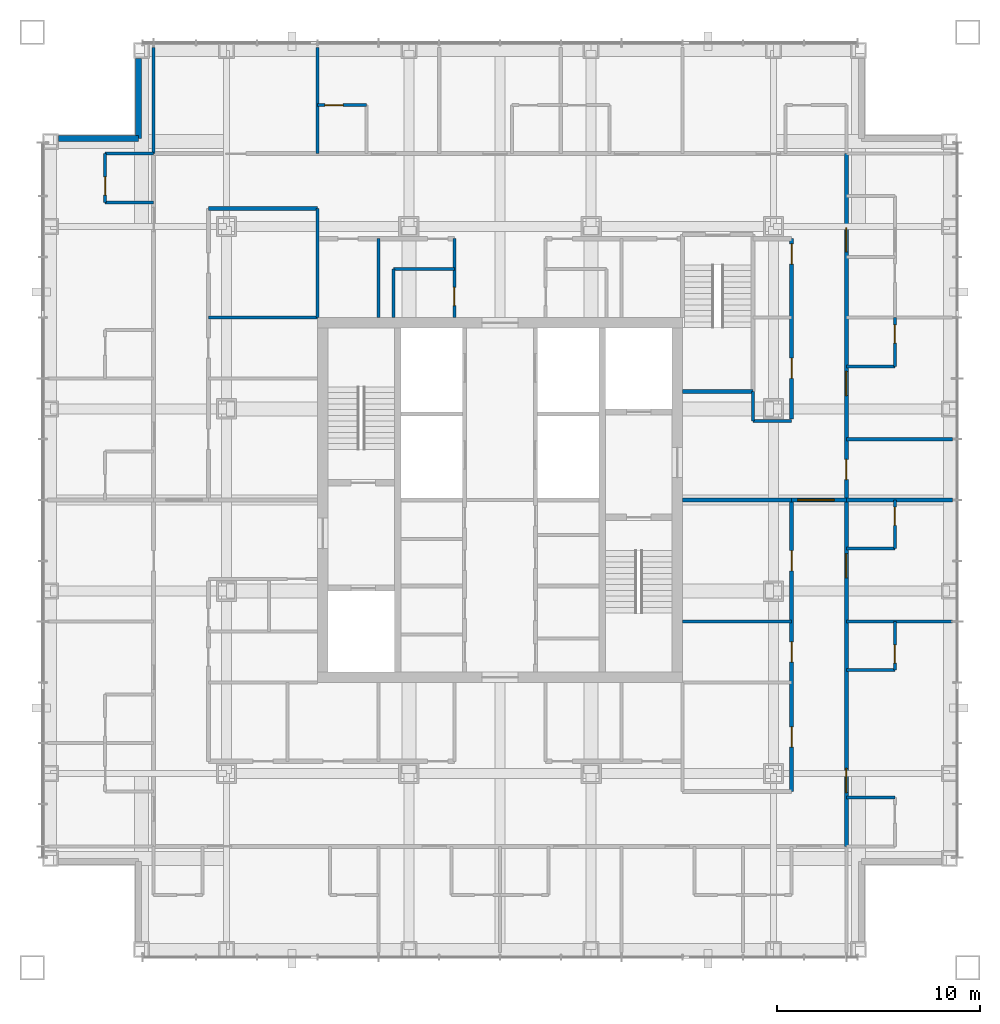
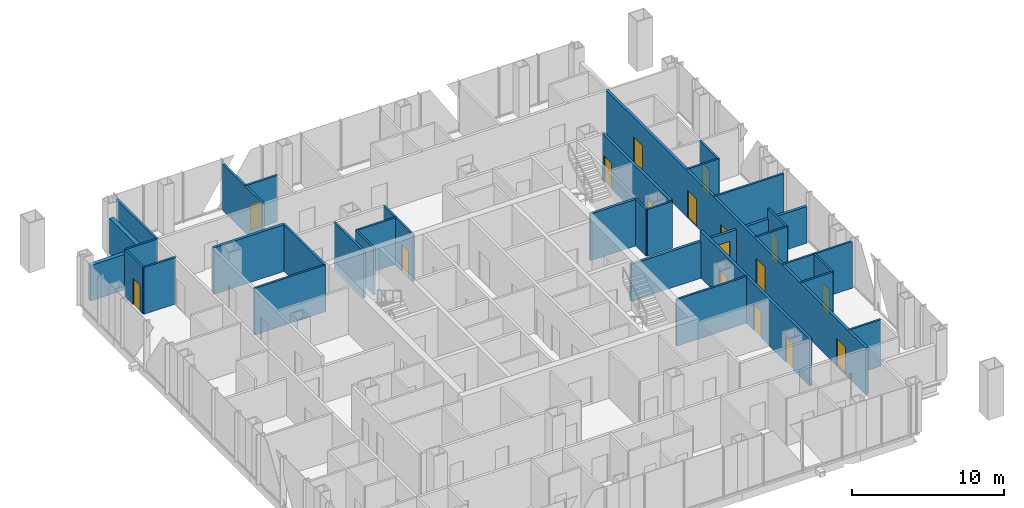
# One storey, part 14 of 21: 34 walls, 17 doors, 17 openings.
"""IFC4 building model written with IfcOpenShell, lengths in metres."""

import ifcopenshell
import ifcopenshell.guid

model = None  # the IFC model being written
_history = None  # IfcOwnerHistory: only IFC2X3 demands one
_inside = {}  # id of a spatial element -> (the spatial element, [elements in it])
_under = {}  # id of a project, library or spatial element -> (it, [spatial elements below it])
_declared = {}  # id of a project -> (the project, [libraries it declares])
_typed = {}  # id of a type object -> (the type object, [elements of that type])
_made_of = {}  # id of a material, layer set ... -> (it, [elements and type objects made of it])


def new_model(schema):
    """Start an empty IFC model of exactly this schema.

    Asked for "IFC4X3", IfcOpenShell would pick the latest addendum, in which some entities
    have other attributes; the version numbers below select the first issue.
    IFC2X3 requires an IfcOwnerHistory on every rooted entity: one is made here for all.
    """
    global model, _history
    if schema == "IFC4X3":
        model = ifcopenshell.file(schema_version=(4, 3, 0, 0))
    else:
        model = ifcopenshell.file(schema=schema)
    _inside.clear()
    _under.clear()
    _declared.clear()
    _typed.clear()
    _made_of.clear()
    _history = None
    if model.schema == "IFC2X3":
        org = make("IfcOrganization", Name="unknown")
        user = make(
            "IfcPersonAndOrganization",
            ThePerson=make("IfcPerson", FamilyName="unknown"),
            TheOrganization=org,
        )
        app = make(
            "IfcApplication",
            ApplicationDeveloper=org,
            Version="unknown",
            ApplicationFullName="unknown",
            ApplicationIdentifier="unknown",
        )
        _history = make(
            "IfcOwnerHistory",
            OwningUser=user,
            OwningApplication=app,
            ChangeAction="ADDED",
            CreationDate=0,
        )
    return model


def make(cls, **values):
    """One entity of the class cls with the attributes given. An attribute that is None is left unset."""
    return model.create_entity(
        cls, **{name: value for name, value in values.items() if value is not None}
    )


def rooted(cls, **values):
    """An entity with a GlobalId (a new one), such as an element, a storey or a relation."""
    return make(cls, GlobalId=ifcopenshell.guid.new(), OwnerHistory=_history, **values)


def si_unit(unit_type, name, prefix=None):
    """IfcSIUnit, for example si_unit("LENGTHUNIT", "METRE", prefix="MILLI")."""
    return make("IfcSIUnit", UnitType=unit_type, Prefix=prefix, Name=name)


def assignment(units):
    """IfcUnitAssignment: the units of a project."""
    return None if units is None else make("IfcUnitAssignment", Units=units)


def point(xyz):
    """IfcCartesianPoint."""
    return None if xyz is None else make("IfcCartesianPoint", Coordinates=xyz)


def direction(xyz):
    """IfcDirection."""
    return None if xyz is None else make("IfcDirection", DirectionRatios=xyz)


def frame(location, z_axis=None, x_axis=None):
    """IfcAxis2Placement3D, a coordinate frame: its origin and axes. An axis left out is left unset."""
    return make(
        "IfcAxis2Placement3D",
        Location=point(location),
        Axis=direction(z_axis),
        RefDirection=direction(x_axis),
    )


def frame_2d(location, x_axis=None):
    """IfcAxis2Placement2D, a coordinate frame in the plane: its origin and x axis."""
    return make(
        "IfcAxis2Placement2D", Location=point(location), RefDirection=direction(x_axis)
    )


def origin():
    """The frame at (0, 0, 0) with its axes left unset."""
    return frame((0.0, 0.0, 0.0))


def place(relative_to, where):
    """IfcLocalPlacement: puts the frame where relative to a parent placement (None: the world)."""
    return make(
        "IfcLocalPlacement", PlacementRelTo=relative_to, RelativePlacement=where
    )


def context(
    kind, dimensions, precision=None, world=None, true_north=None, identifier=None
):
    """IfcGeometricRepresentationContext, for example the 3D "Model" context."""
    return make(
        "IfcGeometricRepresentationContext",
        ContextIdentifier=identifier,
        ContextType=kind,
        CoordinateSpaceDimension=dimensions,
        Precision=precision,
        WorldCoordinateSystem=world,
        TrueNorth=true_north,
    )


def subcontext(parent, identifier, kind, view, scale=None):
    """IfcGeometricRepresentationSubContext, for example "Body" below "Model"."""
    return make(
        "IfcGeometricRepresentationSubContext",
        ContextIdentifier=identifier,
        ContextType=kind,
        ParentContext=parent,
        TargetScale=scale,
        TargetView=view,
    )


def project(units=None, contexts=None):
    """IfcProject with its units and contexts."""
    return rooted(
        "IfcProject",
        Name="project",
        RepresentationContexts=contexts,
        UnitsInContext=assignment(units),
    )


def spatial(cls, under=None, at=None, **own):
    """A site, building, storey or space (cls), placed at a placement, below another one or the project."""
    s = rooted(cls, ObjectPlacement=at, **own)
    if under is not None:
        _under.setdefault(under.id(), (under, []))[1].append(s)
    return s


def profile(cls, at=None, kind="AREA", **sizes):
    """A parametric profile (cls). Its sizes go by their IFC names, for example OverallWidth=200.0."""
    return make(cls, ProfileType=kind, Position=at, **sizes)


def rectangle(**sizes):
    """IfcRectangleProfileDef."""
    return profile("IfcRectangleProfileDef", **sizes)


def extrude(swept, where, along, depth):
    """IfcExtrudedAreaSolid: the profile swept, set in the frame where, extruded along a direction by depth."""
    return make(
        "IfcExtrudedAreaSolid",
        SweptArea=swept,
        Position=where,
        ExtrudedDirection=direction(along),
        Depth=depth,
    )


def shape(context_of_items, identifier, shape_type, items):
    """IfcShapeRepresentation: the items that make up one representation, for example the "Body"."""
    return make(
        "IfcShapeRepresentation",
        ContextOfItems=context_of_items,
        RepresentationIdentifier=identifier,
        RepresentationType=shape_type,
        Items=items,
    )


def material(Name=None, Category=None):
    """IfcMaterial."""
    return make("IfcMaterial", Name=Name, Category=Category)


def layer(
    of_material, thickness, ventilated=None, Name=None, Category=None, Priority=None
):
    """IfcMaterialLayer: one layer of a wall or slab, of a material (None: an air gap)."""
    return make(
        "IfcMaterialLayer",
        Material=of_material,
        LayerThickness=thickness,
        IsVentilated=ventilated,
        Name=Name,
        Category=Category,
        Priority=Priority,
    )


def layer_set(layers, Name=None):
    """IfcMaterialLayerSet."""
    return make("IfcMaterialLayerSet", MaterialLayers=layers, LayerSetName=Name)


def made_of(thing, what):
    """Note that an element or type object is made of a material, layer set ...; save() writes the relation."""
    if what is not None:
        _made_of.setdefault(what.id(), (what, []))[1].append(thing)
    return thing


def type_object(cls, material=None, **own):
    """A type object (cls), such as IfcWallType, which elements share."""
    return made_of(rooted(cls, **own), material)


def element(
    cls,
    number,
    at=None,
    inside=None,
    cuts=None,
    type_object=None,
    material=None,
    context=None,
    identifier="Body",
    shape_type=None,
    held_by="IfcProductDefinitionShape",
    body=None,
    shapes=None,
    **own,
):
    """One element of the class cls, such as IfcWall. Its Tag is "e" and its number.

    at: its placement. inside: the storey or other place that contains it. cuts: it is an
    opening in that element (IfcRelVoidsElement). A single representation is given by context,
    identifier, shape_type and body (its items); several are given by shapes. held_by: the class
    of the entity that holds the representations. save() writes the other relations.
    """
    e = rooted(cls, Tag="e%d" % number, ObjectPlacement=at, **own)
    if body is not None:
        shapes = [shape(context, identifier, shape_type, body)]
    if shapes is not None:
        e.Representation = make(held_by, Representations=shapes)
    if inside is not None:
        _inside.setdefault(inside.id(), (inside, []))[1].append(e)
    if cuts is not None:
        rooted(
            "IfcRelVoidsElement", RelatingBuildingElement=cuts, RelatedOpeningElement=e
        )
    if type_object is not None:
        _typed.setdefault(type_object.id(), (type_object, []))[1].append(e)
    return made_of(e, material)


def fill(opening, filler):
    """IfcRelFillsElement: the door or window that sits in an opening."""
    return rooted(
        "IfcRelFillsElement",
        RelatingOpeningElement=opening,
        RelatedBuildingElement=filler,
    )


def aggregate(whole, parts):
    """IfcRelAggregates: a whole, such as a stair, and the parts it consists of."""
    return rooted("IfcRelAggregates", RelatingObject=whole, RelatedObjects=parts)


def save(model, path):
    """Write the relations noted so far, then the file.

    IfcRelAggregates (storeys below a building ...), IfcRelContainedInSpatialStructure (elements
    in a storey), IfcRelDefinesByType, IfcRelAssociatesMaterial and IfcRelDeclares: one each for
    every whole, place, type object, material and project.
    """
    for whole, parts in _under.values():
        aggregate(whole, parts)
    for where, things in _inside.values():
        rooted(
            "IfcRelContainedInSpatialStructure",
            RelatedElements=things,
            RelatingStructure=where,
        )
    for kind, things in _typed.values():
        rooted("IfcRelDefinesByType", RelatedObjects=things, RelatingType=kind)
    for what, things in _made_of.values():
        rooted("IfcRelAssociatesMaterial", RelatedObjects=things, RelatingMaterial=what)
    for by, libraries in _declared.values():
        rooted("IfcRelDeclares", RelatingContext=by, RelatedDefinitions=libraries)
    model.write(path)


model = new_model("IFC4")

# Units and contexts
model_context = context("Model", 3, precision=1e-05, world=origin(), true_north=direction((0.0, 1.0)))
body_context = subcontext(model_context, "Body", "Model", "MODEL_VIEW")
ifc_project = project(units=[si_unit("LENGTHUNIT", "METRE"), si_unit("AREAUNIT", "SQUARE_METRE"), si_unit("VOLUMEUNIT", "CUBIC_METRE"), si_unit("PLANEANGLEUNIT", "RADIAN"), si_unit("MASSUNIT", "GRAM", prefix="KILO")], contexts=[model_context])

# Site, building, storey
site_placement = place(None, origin())
site = spatial("IfcSite", under=ifc_project, at=site_placement, CompositionType="ELEMENT")
building_placement = place(site_placement, origin())
building = spatial("IfcBuilding", under=site, at=building_placement, Name="Malebo Sky Hospital", CompositionType="ELEMENT")
storey_placement = place(building_placement, frame((0.0, 0.0, 229.0)))
storey = spatial("IfcBuildingStorey", under=building, at=storey_placement, Name="L55", CompositionType="ELEMENT", Elevation=229.0)

# Wall
ifc_material_1 = material(Name="Gypsum board on steel studs", Category="steel")
ifc_layer_1 = layer(ifc_material_1, 0.199951171875)
ifc_layer_set_1 = layer_set([ifc_layer_1], Name="CORRIDOR WALL 200")
wall_type_1 = type_object("IfcWallType", Name="CORRIDOR WALL 200", PredefinedType="PARTITIONING", material=ifc_layer_set_1)
wall_1_placement = place(storey_placement, frame((45.60009765625, 76.39990234375, 0.0), z_axis=(0.0, 0.0, 1.0), x_axis=(1.0, 0.0, 0.0)))
element("IfcWall", 1, at=wall_1_placement, inside=storey, type_object=wall_type_1, Name="Corridor Wall 200 NCIK", PredefinedType="PARTITIONING", context=body_context, shape_type="SweptSolid", body=[
    extrude(rectangle(XDim=5.39990234375, YDim=0.199951171875, at=frame_2d((2.699951171875, 0.0))), origin(), (0.0, 0.0, 1.0), 3.75),
])

# Wall, openings, doors
wall_2_placement = place(storey_placement, frame((77.10009765625, 79.10009765625, 0.0), z_axis=(0.0, 0.0, 1.0), x_axis=(0.0, -1.0, 0.0)))
wall_2 = element("IfcWall", 2, at=wall_2_placement, inside=storey, type_object=wall_type_1, Name="Corridor Wall 200 ECO", PredefinedType="PARTITIONING", context=body_context, shape_type="SweptSolid", body=[
    extrude(rectangle(XDim=34.2001953125, YDim=0.199951171875, at=frame_2d((17.10009765625, 0.0))), origin(), (0.0, 0.0, 1.0), 3.75),
])
opening_1_placement = place(wall_2_placement, frame((3.64990234375, 0.0, 0.0)))
opening_1 = element("IfcOpeningElement", 3, at=opening_1_placement, cuts=wall_2, Name="Opening D18", PredefinedType="OPENING", context=body_context, shape_type="SweptSolid", body=[
    extrude(rectangle(XDim=1.199951171875, YDim=2.199951171875, at=frame_2d((0.60009765625, 1.10009765625))), frame((0.0, 0.10986328125, 0.0), z_axis=(0.0, -1.0, 0.0), x_axis=(1.0, 0.0, 0.0)), (0.0, 0.0, 1.0), 0.219970703125),
])
opening_2_placement = place(wall_2_placement, frame((10.75, 0.0, 0.0)))
opening_2 = element("IfcOpeningElement", 4, at=opening_2_placement, cuts=wall_2, Name="Opening D01", PredefinedType="OPENING", context=body_context, shape_type="SweptSolid", body=[
    extrude(rectangle(XDim=1.199951171875, YDim=2.199951171875, at=frame_2d((0.60009765625, 1.10009765625))), frame((0.0, 0.10986328125, 0.0), z_axis=(0.0, -1.0, 0.0), x_axis=(1.0, 0.0, 0.0)), (0.0, 0.0, 1.0), 0.219970703125),
])
opening_3_placement = place(wall_2_placement, frame((15.10009765625, 0.0, 0.0)))
opening_3 = element("IfcOpeningElement", 5, at=opening_3_placement, cuts=wall_2, Name="Opening D03", PredefinedType="OPENING", context=body_context, shape_type="SweptSolid", body=[
    extrude(rectangle(XDim=1.0, YDim=2.10009765625, at=frame_2d((0.5, 1.050048828125))), frame((0.0, 0.10986328125, 0.0), z_axis=(0.0, -1.0, 0.0), x_axis=(1.0, 0.0, 0.0)), (0.0, 0.0, 1.0), 0.219970703125),
])
opening_4_placement = place(wall_2_placement, frame((19.75, 0.0, 0.0)))
opening_4 = element("IfcOpeningElement", 6, at=opening_4_placement, cuts=wall_2, Name="Opening D01", PredefinedType="OPENING", context=body_context, shape_type="SweptSolid", body=[
    extrude(rectangle(XDim=1.199951171875, YDim=2.199951171875, at=frame_2d((0.60009765625, 1.10009765625))), frame((0.0, 0.10986328125, 0.0), z_axis=(0.0, -1.0, 0.0), x_axis=(1.0, 0.0, 0.0)), (0.0, 0.0, 1.0), 0.219970703125),
])
opening_5_placement = place(wall_2_placement, frame((30.35009765625, 0.0, 0.0)))
opening_5 = element("IfcOpeningElement", 7, at=opening_5_placement, cuts=wall_2, Name="Opening D01", PredefinedType="OPENING", context=body_context, shape_type="SweptSolid", body=[
    extrude(rectangle(XDim=1.199951171875, YDim=2.199951171875, at=frame_2d((0.60009765625, 1.10009765625))), frame((0.0, 0.10986328125, 0.0), z_axis=(0.0, -1.0, 0.0), x_axis=(1.0, 0.0, 0.0)), (0.0, 0.0, 1.0), 0.219970703125),
])
ifc_material_2 = material(Name="Hardwood-faced door leaf in steel frame", Category="steel")
door_type_1 = type_object("IfcDoorType", Name="ANTEROOM DOOR 1200", OperationType="SINGLE_SWING_LEFT", PredefinedType="DOOR", material=ifc_material_2)
door_1_placement = place(opening_1_placement, origin())
door_1 = element("IfcDoor", 8, at=door_1_placement, inside=storey, type_object=door_type_1, Name="Anteroom door", OperationType="SINGLE_SWING_RIGHT", OverallHeight=2.199951171875, OverallWidth=1.199951171875, PredefinedType="DOOR", context=body_context, shape_type="SweptSolid", body=[
    extrude(rectangle(XDim=1.199951171875, YDim=2.199951171875, at=frame_2d((0.60009765625, 1.10009765625))), frame((0.0, 0.02490234375, 0.0), z_axis=(0.0, -1.0, 0.0), x_axis=(1.0, 0.0, 0.0)), (0.0, 0.0, 1.0), 0.050048828125),
])
fill(opening_1, door_1)
door_type_2 = type_object("IfcDoorType", Name="BED DOOR 1200", OperationType="SINGLE_SWING_LEFT", PredefinedType="DOOR", material=ifc_material_2)
door_2_placement = place(opening_2_placement, origin())
door_2 = element("IfcDoor", 9, at=door_2_placement, inside=storey, type_object=door_type_2, Name="Single bed room door", OperationType="SINGLE_SWING_LEFT", OverallHeight=2.199951171875, OverallWidth=1.199951171875, PredefinedType="DOOR", context=body_context, shape_type="SweptSolid", body=[
    extrude(rectangle(XDim=1.199951171875, YDim=2.199951171875, at=frame_2d((0.60009765625, 1.10009765625))), frame((0.0, 0.02490234375, 0.0), z_axis=(0.0, -1.0, 0.0), x_axis=(1.0, 0.0, 0.0)), (0.0, 0.0, 1.0), 0.050048828125),
])
fill(opening_2, door_2)
door_3_placement = place(opening_4_placement, origin())
door_3 = element("IfcDoor", 10, at=door_3_placement, inside=storey, type_object=door_type_2, Name="Parent room door", OperationType="SINGLE_SWING_LEFT", OverallHeight=2.199951171875, OverallWidth=1.199951171875, PredefinedType="DOOR", context=body_context, shape_type="SweptSolid", body=[
    extrude(rectangle(XDim=1.199951171875, YDim=2.199951171875, at=frame_2d((0.60009765625, 1.10009765625))), frame((0.0, 0.02490234375, 0.0), z_axis=(0.0, -1.0, 0.0), x_axis=(1.0, 0.0, 0.0)), (0.0, 0.0, 1.0), 0.050048828125),
])
fill(opening_4, door_3)
door_4_placement = place(opening_5_placement, origin())
door_4 = element("IfcDoor", 11, at=door_4_placement, inside=storey, type_object=door_type_2, Name="Four-bed bay door", OperationType="SINGLE_SWING_RIGHT", OverallHeight=2.199951171875, OverallWidth=1.199951171875, PredefinedType="DOOR", context=body_context, shape_type="SweptSolid", body=[
    extrude(rectangle(XDim=1.199951171875, YDim=2.199951171875, at=frame_2d((0.60009765625, 1.10009765625))), frame((0.0, 0.02490234375, 0.0), z_axis=(0.0, -1.0, 0.0), x_axis=(1.0, 0.0, 0.0)), (0.0, 0.0, 1.0), 0.050048828125),
])
fill(opening_5, door_4)
door_type_3 = type_object("IfcDoorType", Name="ROOM DOOR 1000", OperationType="SINGLE_SWING_LEFT", PredefinedType="DOOR", material=ifc_material_2)
door_5_placement = place(opening_3_placement, origin())
door_5 = element("IfcDoor", 12, at=door_5_placement, inside=storey, type_object=door_type_3, Name="Quiet room door", OperationType="SINGLE_SWING_RIGHT", OverallHeight=2.10009765625, OverallWidth=1.0, PredefinedType="DOOR", context=body_context, shape_type="SweptSolid", body=[
    extrude(rectangle(XDim=1.0, YDim=2.10009765625, at=frame_2d((0.5, 1.050048828125))), frame((0.0, 0.02490234375, 0.0), z_axis=(0.0, -1.0, 0.0), x_axis=(1.0, 0.0, 0.0)), (0.0, 0.0, 1.0), 0.050048828125),
])
fill(opening_3, door_5)

wall_3_placement = place(storey_placement, frame((74.39990234375, 74.89990234375, 0.0), z_axis=(0.0, 0.0, 1.0), x_axis=(0.0, -1.0, 0.0)))
wall_3 = element("IfcWall", 13, at=wall_3_placement, inside=storey, type_object=wall_type_1, Name="Corridor Wall 200 ECI1", PredefinedType="PARTITIONING", context=body_context, shape_type="SweptSolid", body=[
    extrude(rectangle(XDim=8.89990234375, YDim=0.199951171875, at=frame_2d((4.449951171875, 0.0))), origin(), (0.0, 0.0, 1.0), 3.75),
])
opening_6_placement = place(wall_3_placement, frame((0.25, 0.0, 0.0)))
opening_6 = element("IfcOpeningElement", 14, at=opening_6_placement, cuts=wall_3, Name="Opening D03", PredefinedType="OPENING", context=body_context, shape_type="SweptSolid", body=[
    extrude(rectangle(XDim=1.0, YDim=2.10009765625, at=frame_2d((0.5, 1.050048828125))), frame((0.0, 0.10986328125, 0.0), z_axis=(0.0, -1.0, 0.0), x_axis=(1.0, 0.0, 0.0)), (0.0, 0.0, 1.0), 0.219970703125),
])
opening_7_placement = place(wall_3_placement, frame((5.89990234375, 0.0, 0.0)))
opening_7 = element("IfcOpeningElement", 15, at=opening_7_placement, cuts=wall_3, Name="Opening D03", PredefinedType="OPENING", context=body_context, shape_type="SweptSolid", body=[
    extrude(rectangle(XDim=1.0, YDim=2.10009765625, at=frame_2d((0.5, 1.050048828125))), frame((0.0, 0.10986328125, 0.0), z_axis=(0.0, -1.0, 0.0), x_axis=(1.0, 0.0, 0.0)), (0.0, 0.0, 1.0), 0.219970703125),
])
door_6_placement = place(opening_6_placement, origin())
door_6 = element("IfcDoor", 16, at=door_6_placement, inside=storey, type_object=door_type_3, Name="Ward pantry door", OperationType="SINGLE_SWING_LEFT", OverallHeight=2.10009765625, OverallWidth=1.0, PredefinedType="DOOR", context=body_context, shape_type="SweptSolid", body=[
    extrude(rectangle(XDim=1.0, YDim=2.10009765625, at=frame_2d((0.5, 1.050048828125))), frame((0.0, 0.02490234375, 0.0), z_axis=(0.0, -1.0, 0.0), x_axis=(1.0, 0.0, 0.0)), (0.0, 0.0, 1.0), 0.050048828125),
])
fill(opening_6, door_6)
door_7_placement = place(opening_7_placement, origin())
door_7 = element("IfcDoor", 17, at=door_7_placement, inside=storey, type_object=door_type_3, Name="Consulting room door", OperationType="SINGLE_SWING_LEFT", OverallHeight=2.10009765625, OverallWidth=1.0, PredefinedType="DOOR", context=body_context, shape_type="SweptSolid", body=[
    extrude(rectangle(XDim=1.0, YDim=2.10009765625, at=frame_2d((0.5, 1.050048828125))), frame((0.0, 0.02490234375, 0.0), z_axis=(0.0, -1.0, 0.0), x_axis=(1.0, 0.0, 0.0)), (0.0, 0.0, 1.0), 0.050048828125),
])
fill(opening_7, door_7)

wall_4_placement = place(storey_placement, frame((74.39990234375, 62.0, 0.0), z_axis=(0.0, 0.0, 1.0), x_axis=(0.0, -1.0, 0.0)))
wall_4 = element("IfcWall", 18, at=wall_4_placement, inside=storey, type_object=wall_type_1, Name="Corridor Wall 200 ECI2", PredefinedType="PARTITIONING", context=body_context, shape_type="SweptSolid", body=[
    extrude(rectangle(XDim=14.39990234375, YDim=0.199951171875, at=frame_2d((7.199951171875, 0.0))), origin(), (0.0, 0.0, 1.0), 3.75),
])
opening_8_placement = place(wall_4_placement, frame((2.5, 0.0, 0.0)))
opening_8 = element("IfcOpeningElement", 19, at=opening_8_placement, cuts=wall_4, Name="Opening D03", PredefinedType="OPENING", context=body_context, shape_type="SweptSolid", body=[
    extrude(rectangle(XDim=1.0, YDim=2.10009765625, at=frame_2d((0.5, 1.050048828125))), frame((0.0, 0.10986328125, 0.0), z_axis=(0.0, -1.0, 0.0), x_axis=(1.0, 0.0, 0.0)), (0.0, 0.0, 1.0), 0.219970703125),
])
opening_9_placement = place(wall_4_placement, frame((7.0, 0.0, 0.0)))
opening_9 = element("IfcOpeningElement", 20, at=opening_9_placement, cuts=wall_4, Name="Opening D03", PredefinedType="OPENING", context=body_context, shape_type="SweptSolid", body=[
    extrude(rectangle(XDim=1.0, YDim=2.10009765625, at=frame_2d((0.5, 1.050048828125))), frame((0.0, 0.10986328125, 0.0), z_axis=(0.0, -1.0, 0.0), x_axis=(1.0, 0.0, 0.0)), (0.0, 0.0, 1.0), 0.219970703125),
])
opening_10_placement = place(wall_4_placement, frame((11.199951171875, 0.0, 0.0)))
opening_10 = element("IfcOpeningElement", 21, at=opening_10_placement, cuts=wall_4, Name="Opening D03", PredefinedType="OPENING", context=body_context, shape_type="SweptSolid", body=[
    extrude(rectangle(XDim=1.0, YDim=2.10009765625, at=frame_2d((0.5, 1.050048828125))), frame((0.0, 0.10986328125, 0.0), z_axis=(0.0, -1.0, 0.0), x_axis=(1.0, 0.0, 0.0)), (0.0, 0.0, 1.0), 0.219970703125),
])
door_8_placement = place(opening_8_placement, origin())
door_8 = element("IfcDoor", 22, at=door_8_placement, inside=storey, type_object=door_type_3, Name="Staff rest room door", OperationType="SINGLE_SWING_LEFT", OverallHeight=2.10009765625, OverallWidth=1.0, PredefinedType="DOOR", context=body_context, shape_type="SweptSolid", body=[
    extrude(rectangle(XDim=1.0, YDim=2.10009765625, at=frame_2d((0.5, 1.050048828125))), frame((0.0, 0.02490234375, 0.0), z_axis=(0.0, -1.0, 0.0), x_axis=(1.0, 0.0, 0.0)), (0.0, 0.0, 1.0), 0.050048828125),
])
fill(opening_8, door_8)
door_9_placement = place(opening_9_placement, origin())
door_9 = element("IfcDoor", 23, at=door_9_placement, inside=storey, type_object=door_type_3, Name="Dirty utility room door", OperationType="SINGLE_SWING_LEFT", OverallHeight=2.10009765625, OverallWidth=1.0, PredefinedType="DOOR", context=body_context, shape_type="SweptSolid", body=[
    extrude(rectangle(XDim=1.0, YDim=2.10009765625, at=frame_2d((0.5, 1.050048828125))), frame((0.0, 0.02490234375, 0.0), z_axis=(0.0, -1.0, 0.0), x_axis=(1.0, 0.0, 0.0)), (0.0, 0.0, 1.0), 0.050048828125),
])
fill(opening_9, door_9)
door_10_placement = place(opening_10_placement, origin())
door_10 = element("IfcDoor", 24, at=door_10_placement, inside=storey, type_object=door_type_3, Name="Surgical examination room door", OperationType="SINGLE_SWING_RIGHT", OverallHeight=2.10009765625, OverallWidth=1.0, PredefinedType="DOOR", context=body_context, shape_type="SweptSolid", body=[
    extrude(rectangle(XDim=1.0, YDim=2.10009765625, at=frame_2d((0.5, 1.050048828125))), frame((0.0, 0.02490234375, 0.0), z_axis=(0.0, -1.0, 0.0), x_axis=(1.0, 0.0, 0.0)), (0.0, 0.0, 1.0), 0.050048828125),
])
fill(opening_10, door_10)

# Walls
ifc_material_3 = material(Name="Anodised aluminium rainscreen on steel framing", Category="steel")
ifc_layer_2 = layer(ifc_material_3, 0.300048828125)
ifc_layer_set_2 = layer_set([ifc_layer_2], Name="NOTCH RAINSCREEN WALL 300")
wall_type_2 = type_object("IfcWallType", Name="NOTCH RAINSCREEN WALL 300", PredefinedType="ELEMENTEDWALL", material=ifc_layer_set_2)
for number, where, z_axis, x_axis, name in (
    (25, (38.199951171875, 79.85009765625, 0.0), (0.0, 0.0, 1.0), (1.0, 0.0, 0.0), "Notch rainscreen wall W1 L55"),
    (26, (42.14990234375, 79.85009765625, 0.0), (0.0, 0.0, 1.0), (0.0, 1.0, 0.0), "Notch rainscreen wall W2 L55"),
):
    element("IfcWall", number, at=place(storey_placement, frame(where, z_axis=z_axis, x_axis=x_axis)), inside=storey, type_object=wall_type_2, Name=name, PredefinedType="ELEMENTEDWALL", context=body_context, shape_type="SweptSolid", body=[
        extrude(rectangle(XDim=3.949951171875, YDim=0.300048828125, at=frame_2d((1.97509765625, 0.0))), origin(), (0.0, 0.0, 1.0), 2.85009765625),
    ])
ifc_layer_3 = layer(ifc_material_1, 0.14990234375)
ifc_layer_set_3 = layer_set([ifc_layer_3], Name="PARTITION 150")
wall_type_3 = type_object("IfcWallType", Name="PARTITION 150", PredefinedType="PARTITIONING", material=ifc_layer_set_3)
for number, where, z_axis, x_axis, name in (
    (27, (51.0, 79.10009765625, 0.0), (0.0, 0.0, 1.0), (0.0, 1.0, 0.0), "Partition 150 NP-9.0"),
    (28, (42.89990234375, 79.10009765625, 0.0), (0.0, 0.0, 1.0), (0.0, 1.0, 0.0), "Partition 150 NP0"),
):
    element("IfcWall", number, at=place(storey_placement, frame(where, z_axis=z_axis, x_axis=x_axis)), inside=storey, type_object=wall_type_3, Name=name, PredefinedType="PARTITIONING", context=body_context, shape_type="SweptSolid", body=[
        extrude(rectangle(XDim=5.25, YDim=0.14990234375, at=frame_2d((2.625, 0.0))), origin(), (0.0, 0.0, 1.0), 3.75),
    ])

# Wall, opening, door
wall_5_placement = place(storey_placement, frame((51.0, 81.5, 0.0), z_axis=(0.0, 0.0, 1.0), x_axis=(1.0, 0.0, 0.0)))
wall_5 = element("IfcWall", 29, at=wall_5_placement, inside=storey, type_object=wall_type_3, Name="Partition 150 NE1F", PredefinedType="PARTITIONING", context=body_context, shape_type="SweptSolid", body=[
    extrude(rectangle(XDim=2.39990234375, YDim=0.14990234375, at=frame_2d((1.199951171875, 0.0))), origin(), (0.0, 0.0, 1.0), 3.75),
])
opening_11_placement = place(wall_5_placement, frame((0.35009765625, 0.0, 0.0)))
opening_11 = element("IfcOpeningElement", 30, at=opening_11_placement, cuts=wall_5, Name="Opening D02", PredefinedType="OPENING", context=body_context, shape_type="SweptSolid", body=[
    extrude(rectangle(XDim=0.89990234375, YDim=2.10009765625, at=frame_2d((0.449951171875, 1.050048828125))), frame((0.0, 0.0849609375, 0.0), z_axis=(0.0, -1.0, 0.0), x_axis=(1.0, 0.0, 0.0)), (0.0, 0.0, 1.0), 0.169921875),
])
door_type_4 = type_object("IfcDoorType", Name="EN-SUITE DOOR 900", OperationType="SINGLE_SWING_LEFT", PredefinedType="DOOR", material=ifc_material_2)
door_11_placement = place(opening_11_placement, origin())
door_11 = element("IfcDoor", 31, at=door_11_placement, inside=storey, type_object=door_type_4, Name="En-suite door", OperationType="SINGLE_SWING_LEFT", OverallHeight=2.10009765625, OverallWidth=0.89990234375, PredefinedType="DOOR", context=body_context, shape_type="SweptSolid", body=[
    extrude(rectangle(XDim=0.89990234375, YDim=2.10009765625, at=frame_2d((0.449951171875, 1.050048828125))), frame((0.0, 0.02490234375, 0.0), z_axis=(0.0, -1.0, 0.0), x_axis=(1.0, 0.0, 0.0)), (0.0, 0.0, 1.0), 0.050048828125),
])
fill(opening_11, door_11)

# Wall
wall_6_placement = place(storey_placement, frame((51.0, 71.0, 0.0), z_axis=(0.0, 0.0, 1.0), x_axis=(0.0, 1.0, 0.0)))
element("IfcWall", 32, at=wall_6_placement, inside=storey, type_object=wall_type_3, Name="Partition 150 NSP0", PredefinedType="PARTITIONING", context=body_context, shape_type="SweptSolid", body=[
    extrude(rectangle(XDim=5.39990234375, YDim=0.14990234375, at=frame_2d((2.699951171875, 0.0))), origin(), (0.0, 0.0, 1.0), 3.75),
])

# Wall, opening, door
wall_7_placement = place(storey_placement, frame((57.75, 71.0, 0.0), z_axis=(0.0, 0.0, 1.0), x_axis=(0.0, 1.0, 0.0)))
wall_7 = element("IfcWall", 33, at=wall_7_placement, inside=storey, type_object=wall_type_3, Name="Partition 150 NSPA", PredefinedType="PARTITIONING", context=body_context, shape_type="SweptSolid", body=[
    extrude(rectangle(XDim=3.89990234375, YDim=0.14990234375, at=frame_2d((1.949951171875, 0.0))), origin(), (0.0, 0.0, 1.0), 3.75),
])
opening_12_placement = place(wall_7_placement, frame((0.60009765625, 0.0, 0.0)))
opening_12 = element("IfcOpeningElement", 34, at=opening_12_placement, cuts=wall_7, Name="Opening D04", PredefinedType="OPENING", context=body_context, shape_type="SweptSolid", body=[
    extrude(rectangle(XDim=0.89990234375, YDim=2.10009765625, at=frame_2d((0.449951171875, 1.050048828125))), frame((0.0, 0.0849609375, 0.0), z_axis=(0.0, -1.0, 0.0), x_axis=(1.0, 0.0, 0.0)), (0.0, 0.0, 1.0), 0.169921875),
])
door_type_5 = type_object("IfcDoorType", Name="ROOM DOOR 900", OperationType="SINGLE_SWING_LEFT", PredefinedType="DOOR", material=ifc_material_2)
door_12_placement = place(opening_12_placement, origin())
door_12 = element("IfcDoor", 35, at=door_12_placement, inside=storey, type_object=door_type_5, Name="Staff WC door", OperationType="SINGLE_SWING_LEFT", OverallHeight=2.10009765625, OverallWidth=0.89990234375, PredefinedType="DOOR", context=body_context, shape_type="SweptSolid", body=[
    extrude(rectangle(XDim=0.89990234375, YDim=2.10009765625, at=frame_2d((0.449951171875, 1.050048828125))), frame((0.0, 0.02490234375, 0.0), z_axis=(0.0, -1.0, 0.0), x_axis=(1.0, 0.0, 0.0)), (0.0, 0.0, 1.0), 0.050048828125),
])
fill(opening_12, door_12)

# Walls
wall_8_placement = place(storey_placement, frame((54.0, 71.0, 0.0), z_axis=(0.0, 0.0, 1.0), x_axis=(0.0, 1.0, 0.0)))
element("IfcWall", 36, at=wall_8_placement, inside=storey, type_object=wall_type_3, Name="Partition 150 NSP-6.0", PredefinedType="PARTITIONING", context=body_context, shape_type="SweptSolid", body=[
    extrude(rectangle(XDim=3.89990234375, YDim=0.14990234375, at=frame_2d((1.949951171875, 0.0))), origin(), (0.0, 0.0, 1.0), 3.75),
])
wall_9_placement = place(storey_placement, frame((54.75, 73.39990234375, 0.0), z_axis=(0.0, 0.0, 1.0), x_axis=(1.0, 0.0, 0.0)))
element("IfcWall", 37, at=wall_9_placement, inside=storey, type_object=wall_type_3, Name="Partition 150 NSX1", PredefinedType="PARTITIONING", context=body_context, shape_type="SweptSolid", body=[
    extrude(rectangle(XDim=3.0, YDim=0.14990234375, at=frame_2d((1.5, 0.0))), origin(), (0.0, 0.0, 1.0), 3.75),
])
wall_10_placement = place(storey_placement, frame((54.75, 71.0, 0.0), z_axis=(0.0, 0.0, 1.0), x_axis=(0.0, 1.0, 0.0)))
element("IfcWall", 38, at=wall_10_placement, inside=storey, type_object=wall_type_3, Name="Partition 150 NSY1", PredefinedType="PARTITIONING", context=body_context, shape_type="SweptSolid", body=[
    extrude(rectangle(XDim=2.39990234375, YDim=0.14990234375, at=frame_2d((1.199951171875, 0.0))), origin(), (0.0, 0.0, 1.0), 3.75),
])

# Wall, opening, door
wall_11_placement = place(storey_placement, frame((40.5, 76.699951171875, 0.0), z_axis=(0.0, 0.0, 1.0), x_axis=(0.0, 1.0, 0.0)))
wall_11 = element("IfcWall", 39, at=wall_11_placement, inside=storey, type_object=wall_type_3, Name="Partition 150 WE4F", PredefinedType="PARTITIONING", context=body_context, shape_type="SweptSolid", body=[
    extrude(rectangle(XDim=2.400146484375, YDim=0.14990234375, at=frame_2d((1.2001953125, 0.0))), origin(), (0.0, 0.0, 1.0), 3.75),
])
opening_13_placement = place(wall_11_placement, frame((0.35009765625, 0.0, 0.0)))
opening_13 = element("IfcOpeningElement", 40, at=opening_13_placement, cuts=wall_11, Name="Opening D02", PredefinedType="OPENING", context=body_context, shape_type="SweptSolid", body=[
    extrude(rectangle(XDim=0.89990234375, YDim=2.10009765625, at=frame_2d((0.449951171875, 1.050048828125))), frame((0.0, 0.0849609375, 0.0), z_axis=(0.0, -1.0, 0.0), x_axis=(1.0, 0.0, 0.0)), (0.0, 0.0, 1.0), 0.169921875),
])
door_13_placement = place(opening_13_placement, origin())
door_13 = element("IfcDoor", 41, at=door_13_placement, inside=storey, type_object=door_type_4, Name="En-suite door", OperationType="SINGLE_SWING_LEFT", OverallHeight=2.10009765625, OverallWidth=0.89990234375, PredefinedType="DOOR", context=body_context, shape_type="SweptSolid", body=[
    extrude(rectangle(XDim=0.89990234375, YDim=2.10009765625, at=frame_2d((0.449951171875, 1.050048828125))), frame((0.0, 0.02490234375, 0.0), z_axis=(0.0, -1.0, 0.0), x_axis=(1.0, 0.0, 0.0)), (0.0, 0.0, 1.0), 0.050048828125),
])
fill(opening_13, door_13)

# Walls
for number, where, z_axis, x_axis, name in (
    (42, (42.89990234375, 76.699951171875, 0.0), (0.0, 0.0, 1.0), (-1.0, 0.0, 0.0), "Partition 150 WE4S"),
    (43, (42.89990234375, 79.10009765625, 0.0), (0.0, 0.0, 1.0), (-1.0, 0.0, 0.0), "Partition 150 WEZ"),
):
    element("IfcWall", number, at=place(storey_placement, frame(where, z_axis=z_axis, x_axis=x_axis)), inside=storey, type_object=wall_type_3, Name=name, PredefinedType="PARTITIONING", context=body_context, shape_type="SweptSolid", body=[
        extrude(rectangle(XDim=2.39990234375, YDim=0.14990234375, at=frame_2d((1.199951171875, 0.0))), origin(), (0.0, 0.0, 1.0), 3.75),
    ])
wall_12_placement = place(storey_placement, frame((51.0, 71.0, 0.0), z_axis=(0.0, 0.0, 1.0), x_axis=(-1.0, 0.0, 0.0)))
element("IfcWall", 44, at=wall_12_placement, inside=storey, type_object=wall_type_3, Name="Partition 150 WSP+9.0", PredefinedType="PARTITIONING", context=body_context, shape_type="SweptSolid", body=[
    extrude(rectangle(XDim=5.39990234375, YDim=0.14990234375, at=frame_2d((2.699951171875, 0.0))), origin(), (0.0, 0.0, 1.0), 3.75),
])
for number, where, z_axis, x_axis, name in (
    (45, (77.10009765625, 65.0, 0.0), (0.0, 0.0, 1.0), (1.0, 0.0, 0.0), "Partition 150 EP-3.0"),
    (46, (77.10009765625, 56.0, 0.0), (0.0, 0.0, 1.0), (1.0, 0.0, 0.0), "Partition 150 EP+6.0"),
):
    element("IfcWall", number, at=place(storey_placement, frame(where, z_axis=z_axis, x_axis=x_axis)), inside=storey, type_object=wall_type_3, Name=name, PredefinedType="PARTITIONING", context=body_context, shape_type="SweptSolid", body=[
        extrude(rectangle(XDim=5.25, YDim=0.14990234375, at=frame_2d((2.625, 0.0))), origin(), (0.0, 0.0, 1.0), 3.75),
    ])

# Wall, opening, door
wall_13_placement = place(storey_placement, frame((79.5, 71.0, 0.0), z_axis=(0.0, 0.0, 1.0), x_axis=(0.0, -1.0, 0.0)))
wall_13 = element("IfcWall", 47, at=wall_13_placement, inside=storey, type_object=wall_type_3, Name="Partition 150 EE1F", PredefinedType="PARTITIONING", context=body_context, shape_type="SweptSolid", body=[
    extrude(rectangle(XDim=2.39990234375, YDim=0.14990234375, at=frame_2d((1.199951171875, 0.0))), origin(), (0.0, 0.0, 1.0), 3.75),
])
opening_14_placement = place(wall_13_placement, frame((0.35009765625, 0.0, 0.0)))
opening_14 = element("IfcOpeningElement", 48, at=opening_14_placement, cuts=wall_13, Name="Opening D02", PredefinedType="OPENING", context=body_context, shape_type="SweptSolid", body=[
    extrude(rectangle(XDim=0.89990234375, YDim=2.10009765625, at=frame_2d((0.449951171875, 1.050048828125))), frame((0.0, 0.0849609375, 0.0), z_axis=(0.0, -1.0, 0.0), x_axis=(1.0, 0.0, 0.0)), (0.0, 0.0, 1.0), 0.169921875),
])
door_14_placement = place(opening_14_placement, origin())
door_14 = element("IfcDoor", 49, at=door_14_placement, inside=storey, type_object=door_type_4, Name="En-suite door", OperationType="SINGLE_SWING_LEFT", OverallHeight=2.10009765625, OverallWidth=0.89990234375, PredefinedType="DOOR", context=body_context, shape_type="SweptSolid", body=[
    extrude(rectangle(XDim=0.89990234375, YDim=2.10009765625, at=frame_2d((0.449951171875, 1.050048828125))), frame((0.0, 0.02490234375, 0.0), z_axis=(0.0, -1.0, 0.0), x_axis=(1.0, 0.0, 0.0)), (0.0, 0.0, 1.0), 0.050048828125),
])
fill(opening_14, door_14)

# Wall
wall_14_placement = place(storey_placement, frame((77.10009765625, 68.60009765625, 0.0), z_axis=(0.0, 0.0, 1.0), x_axis=(1.0, 0.0, 0.0)))
element("IfcWall", 50, at=wall_14_placement, inside=storey, type_object=wall_type_3, Name="Partition 150 EE1S", PredefinedType="PARTITIONING", context=body_context, shape_type="SweptSolid", body=[
    extrude(rectangle(XDim=2.39990234375, YDim=0.14990234375, at=frame_2d((1.199951171875, 0.0))), origin(), (0.0, 0.0, 1.0), 3.75),
])

# Wall, opening, door
wall_15_placement = place(storey_placement, frame((79.5, 62.0, 0.0), z_axis=(0.0, 0.0, 1.0), x_axis=(0.0, -1.0, 0.0)))
wall_15 = element("IfcWall", 51, at=wall_15_placement, inside=storey, type_object=wall_type_3, Name="Partition 150 EE3F", PredefinedType="PARTITIONING", context=body_context, shape_type="SweptSolid", body=[
    extrude(rectangle(XDim=2.39990234375, YDim=0.14990234375, at=frame_2d((1.199951171875, 0.0))), origin(), (0.0, 0.0, 1.0), 3.75),
])
opening_15_placement = place(wall_15_placement, frame((0.35009765625, 0.0, 0.0)))
opening_15 = element("IfcOpeningElement", 52, at=opening_15_placement, cuts=wall_15, Name="Opening D02", PredefinedType="OPENING", context=body_context, shape_type="SweptSolid", body=[
    extrude(rectangle(XDim=0.89990234375, YDim=2.10009765625, at=frame_2d((0.449951171875, 1.050048828125))), frame((0.0, 0.0849609375, 0.0), z_axis=(0.0, -1.0, 0.0), x_axis=(1.0, 0.0, 0.0)), (0.0, 0.0, 1.0), 0.169921875),
])
door_15_placement = place(opening_15_placement, origin())
door_15 = element("IfcDoor", 53, at=door_15_placement, inside=storey, type_object=door_type_4, Name="En-suite door", OperationType="SINGLE_SWING_LEFT", OverallHeight=2.10009765625, OverallWidth=0.89990234375, PredefinedType="DOOR", context=body_context, shape_type="SweptSolid", body=[
    extrude(rectangle(XDim=0.89990234375, YDim=2.10009765625, at=frame_2d((0.449951171875, 1.050048828125))), frame((0.0, 0.02490234375, 0.0), z_axis=(0.0, -1.0, 0.0), x_axis=(1.0, 0.0, 0.0)), (0.0, 0.0, 1.0), 0.050048828125),
])
fill(opening_15, door_15)

# Walls
for number, where, z_axis, x_axis, name in (
    (54, (77.10009765625, 59.60009765625, 0.0), (0.0, 0.0, 1.0), (1.0, 0.0, 0.0), "Partition 150 EE3S"),
    (55, (77.10009765625, 47.300048828125, 0.0), (0.0, 0.0, 1.0), (1.0, 0.0, 0.0), "Partition 150 EE4S"),
):
    element("IfcWall", number, at=place(storey_placement, frame(where, z_axis=z_axis, x_axis=x_axis)), inside=storey, type_object=wall_type_3, Name=name, PredefinedType="PARTITIONING", context=body_context, shape_type="SweptSolid", body=[
        extrude(rectangle(XDim=2.39990234375, YDim=0.14990234375, at=frame_2d((1.199951171875, 0.0))), origin(), (0.0, 0.0, 1.0), 3.75),
    ])

# Wall, opening, door
wall_16_placement = place(storey_placement, frame((79.5, 56.0, 0.0), z_axis=(0.0, 0.0, 1.0), x_axis=(0.0, -1.0, 0.0)))
wall_16 = element("IfcWall", 56, at=wall_16_placement, inside=storey, type_object=wall_type_3, Name="Partition 150 EG4F", PredefinedType="PARTITIONING", context=body_context, shape_type="SweptSolid", body=[
    extrude(rectangle(XDim=2.39990234375, YDim=0.14990234375, at=frame_2d((1.199951171875, 0.0))), origin(), (0.0, 0.0, 1.0), 3.75),
])
opening_16_placement = place(wall_16_placement, frame((1.14990234375, 0.0, 0.0)))
opening_16 = element("IfcOpeningElement", 57, at=opening_16_placement, cuts=wall_16, Name="Opening D02", PredefinedType="OPENING", context=body_context, shape_type="SweptSolid", body=[
    extrude(rectangle(XDim=0.89990234375, YDim=2.10009765625, at=frame_2d((0.449951171875, 1.050048828125))), frame((0.0, 0.0849609375, 0.0), z_axis=(0.0, -1.0, 0.0), x_axis=(1.0, 0.0, 0.0)), (0.0, 0.0, 1.0), 0.169921875),
])
door_16_placement = place(opening_16_placement, origin())
door_16 = element("IfcDoor", 58, at=door_16_placement, inside=storey, type_object=door_type_4, Name="En-suite door", OperationType="SINGLE_SWING_RIGHT", OverallHeight=2.10009765625, OverallWidth=0.89990234375, PredefinedType="DOOR", context=body_context, shape_type="SweptSolid", body=[
    extrude(rectangle(XDim=0.89990234375, YDim=2.10009765625, at=frame_2d((0.449951171875, 1.050048828125))), frame((0.0, 0.02490234375, 0.0), z_axis=(0.0, -1.0, 0.0), x_axis=(1.0, 0.0, 0.0)), (0.0, 0.0, 1.0), 0.050048828125),
])
fill(opening_16, door_16)

# Walls
wall_17_placement = place(storey_placement, frame((77.10009765625, 53.60009765625, 0.0), z_axis=(0.0, 0.0, 1.0), x_axis=(1.0, 0.0, 0.0)))
element("IfcWall", 59, at=wall_17_placement, inside=storey, type_object=wall_type_3, Name="Partition 150 EG4S", PredefinedType="PARTITIONING", context=body_context, shape_type="SweptSolid", body=[
    extrude(rectangle(XDim=2.39990234375, YDim=0.14990234375, at=frame_2d((1.199951171875, 0.0))), origin(), (0.0, 0.0, 1.0), 3.75),
])
wall_18_placement = place(storey_placement, frame((72.5, 65.89990234375, 0.0), z_axis=(0.0, 0.0, 1.0), x_axis=(1.0, 0.0, 0.0)))
element("IfcWall", 60, at=wall_18_placement, inside=storey, type_object=wall_type_3, Name="Partition 150 ESPA", PredefinedType="PARTITIONING", context=body_context, shape_type="SweptSolid", body=[
    extrude(rectangle(XDim=1.89990234375, YDim=0.14990234375, at=frame_2d((0.949951171875, 0.0))), origin(), (0.0, 0.0, 1.0), 3.75),
])
wall_19_placement = place(storey_placement, frame((69.0, 56.0, 0.0), z_axis=(0.0, 0.0, 1.0), x_axis=(1.0, 0.0, 0.0)))
element("IfcWall", 61, at=wall_19_placement, inside=storey, type_object=wall_type_3, Name="Partition 150 ESP+6.0", PredefinedType="PARTITIONING", context=body_context, shape_type="SweptSolid", body=[
    extrude(rectangle(XDim=5.39990234375, YDim=0.14990234375, at=frame_2d((2.699951171875, 0.0))), origin(), (0.0, 0.0, 1.0), 3.75),
])
wall_20_placement = place(storey_placement, frame((72.5, 65.89990234375, 0.0), z_axis=(0.0, 0.0, 1.0), x_axis=(0.0, 1.0, 0.0)))
element("IfcWall", 62, at=wall_20_placement, inside=storey, type_object=wall_type_3, Name="Partition 150 ST3C", PredefinedType="PARTITIONING", context=body_context, shape_type="SweptSolid", body=[
    extrude(rectangle(XDim=1.4501953125, YDim=0.14990234375, at=frame_2d((0.72509765625, 0.0))), origin(), (0.0, 0.0, 1.0), 3.75),
])
ifc_material_4 = material(Name="Concrete blockwork", Category="masonry")
ifc_layer_4 = layer(ifc_material_4, 0.199951171875)
ifc_layer_set_4 = layer_set([ifc_layer_4], Name="SMOKE BARRIER WALL 200")
wall_type_4 = type_object("IfcWallType", Name="SMOKE BARRIER WALL 200", PredefinedType="SOLIDWALL", material=ifc_layer_set_4)
wall_21_placement = place(storey_placement, frame((77.10009765625, 62.0, 0.0), z_axis=(0.0, 0.0, 1.0), x_axis=(1.0, 0.0, 0.0)))
element("IfcWall", 63, at=wall_21_placement, inside=storey, type_object=wall_type_4, Name="Smoke Barrier Wall 200 EP+0.0", PredefinedType="SOLIDWALL", context=body_context, shape_type="SweptSolid", body=[
    extrude(rectangle(XDim=5.25, YDim=0.199951171875, at=frame_2d((2.625, 0.0))), origin(), (0.0, 0.0, 1.0), 2.949951171875),
])
wall_22_placement = place(storey_placement, frame((69.0, 62.0, 0.0), z_axis=(0.0, 0.0, 1.0), x_axis=(1.0, 0.0, 0.0)))
element("IfcWall", 64, at=wall_22_placement, inside=storey, type_object=wall_type_4, Name="Smoke Barrier Wall 200 ESPB", PredefinedType="SOLIDWALL", context=body_context, shape_type="SweptSolid", body=[
    extrude(rectangle(XDim=5.39990234375, YDim=0.199951171875, at=frame_2d((2.699951171875, 0.0))), origin(), (0.0, 0.0, 1.0), 2.949951171875),
])

# Wall, opening, door
wall_23_placement = place(storey_placement, frame((74.39990234375, 62.0, 0.0), z_axis=(0.0, 0.0, 1.0), x_axis=(1.0, 0.0, 0.0)))
wall_23 = element("IfcWall", 65, at=wall_23_placement, inside=storey, type_object=wall_type_4, Name="Smoke Barrier Wall 200 ESB", PredefinedType="SOLIDWALL", context=body_context, shape_type="SweptSolid", body=[
    extrude(rectangle(XDim=2.7001953125, YDim=0.199951171875, at=frame_2d((1.35009765625, 0.0))), origin(), (0.0, 0.0, 1.0), 2.949951171875),
])
opening_17_placement = place(wall_23_placement, frame((0.300048828125, 0.0, 0.0)))
opening_17 = element("IfcOpeningElement", 66, at=opening_17_placement, cuts=wall_23, Name="Opening D05", PredefinedType="OPENING", context=body_context, shape_type="SweptSolid", body=[
    extrude(rectangle(XDim=1.800048828125, YDim=2.199951171875, at=frame_2d((0.89990234375, 1.10009765625))), frame((0.0, 0.10986328125, 0.0), z_axis=(0.0, -1.0, 0.0), x_axis=(1.0, 0.0, 0.0)), (0.0, 0.0, 1.0), 0.219970703125),
])
door_type_6 = type_object("IfcDoorType", Name="SMOKE DOOR PAIR 1800", OperationType="DOUBLE_DOOR_DOUBLE_SWING", PredefinedType="DOOR", material=ifc_material_2)
door_17_placement = place(opening_17_placement, origin())
door_17 = element("IfcDoor", 67, at=door_17_placement, inside=storey, type_object=door_type_6, Name="Smoke compartment door pair", OperationType="DOUBLE_DOOR_DOUBLE_SWING", OverallHeight=2.199951171875, OverallWidth=1.800048828125, PredefinedType="DOOR", context=body_context, shape_type="SweptSolid", body=[
    extrude(rectangle(XDim=1.800048828125, YDim=2.199951171875, at=frame_2d((0.89990234375, 1.10009765625))), frame((0.0, 0.02490234375, 0.0), z_axis=(0.0, -1.0, 0.0), x_axis=(1.0, 0.0, 0.0)), (0.0, 0.0, 1.0), 0.050048828125),
])
fill(opening_17, door_17)

# Wall
ifc_material_5 = material(Name="Concrete C40/50", Category="concrete")
ifc_layer_5 = layer(ifc_material_5, 0.199951171875)
ifc_layer_set_5 = layer_set([ifc_layer_5], Name="STAIR ENCLOSURE WALL 200")
wall_type_5 = type_object("IfcWallType", Name="STAIR ENCLOSURE WALL 200", PredefinedType="SOLIDWALL", material=ifc_layer_set_5)
wall_24_placement = place(storey_placement, frame((69.0, 67.35009765625, 0.0), z_axis=(0.0, 0.0, 1.0), x_axis=(1.0, 0.0, 0.0)))
element("IfcWall", 68, at=wall_24_placement, inside=storey, type_object=wall_type_5, Name="Stair Enclosure Wall 200 ST3S", PredefinedType="SOLIDWALL", context=body_context, shape_type="SweptSolid", body=[
    extrude(rectangle(XDim=3.5, YDim=0.199951171875, at=frame_2d((1.75, 0.0))), origin(), (0.0, 0.0, 1.0), 3.75),
])

save(model, "model.ifc")
